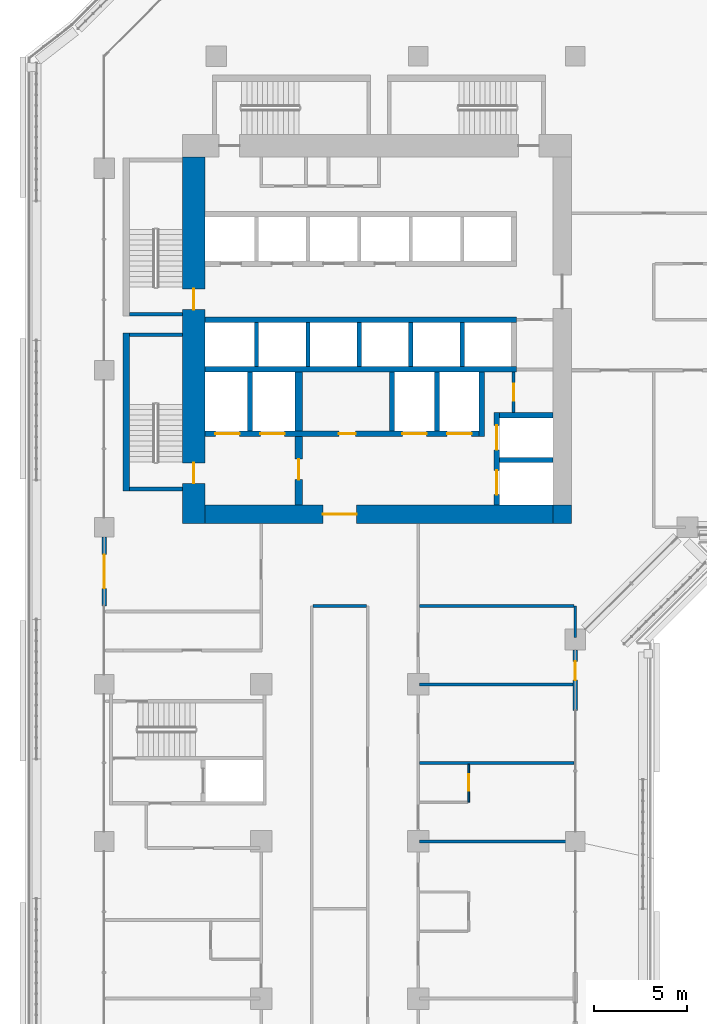
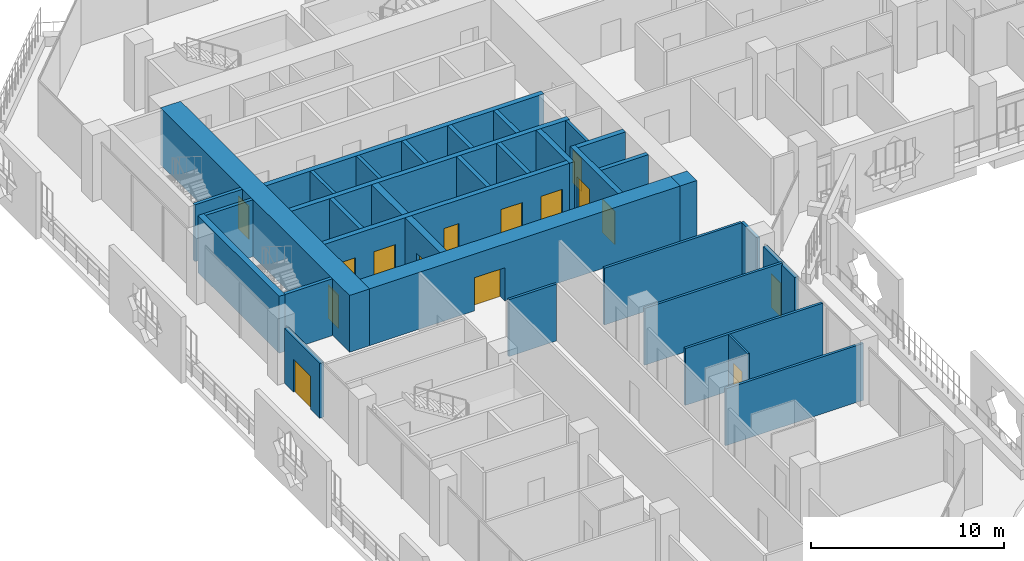
# One storey, part 13 of 26: 34 walls, 15 doors, 15 openings.
"""IFC4 building model written with IfcOpenShell, lengths in metres."""

from ifc_helpers import new_model, si_unit, direction, frame, frame_2d, origin, place, context, subcontext, project, spatial, rectangle, extrude, material, layer, layer_set, type_object, element, fill, save


model = new_model("IFC4")

# Units and contexts
model_context = context("Model", 3, precision=1e-05, world=origin(), true_north=direction((0.0, 1.0)))
body_context = subcontext(model_context, "Body", "Model", "MODEL_VIEW")
ifc_project = project(units=[si_unit("LENGTHUNIT", "METRE"), si_unit("AREAUNIT", "SQUARE_METRE"), si_unit("VOLUMEUNIT", "CUBIC_METRE"), si_unit("PLANEANGLEUNIT", "RADIAN"), si_unit("MASSUNIT", "GRAM", prefix="KILO")], contexts=[model_context])

# Site, building, storey
site_placement = place(None, origin())
site = spatial("IfcSite", under=ifc_project, at=site_placement, CompositionType="ELEMENT")
building_placement = place(site_placement, origin())
building = spatial("IfcBuilding", under=site, at=building_placement, Name="Kawkab Arch Medical Tower", CompositionType="ELEMENT")
storey_placement = place(building_placement, frame((0.0, 0.0, 119.800048828125)))
storey = spatial("IfcBuildingStorey", under=building, at=storey_placement, Name="L27", CompositionType="ELEMENT", Elevation=119.800048828125)

# Wall, opening, door
ifc_material_1 = material(Name="Concrete C60/75", Category="concrete")
ifc_layer_1 = layer(ifc_material_1, 1.0)
ifc_layer_set_1 = layer_set([ifc_layer_1], Name="Concrete C60/75")
wall_type_1 = type_object("IfcWallType", Name="Core ring wall 1000 C60/75", PredefinedType="SHEAR", material=ifc_layer_set_1)
wall_1_placement = place(storey_placement, frame((5.39990234375, -24.5, 0.0), z_axis=(0.0, 0.0, 1.0), x_axis=(1.0, 0.0, 0.0)))
wall_1 = element("IfcWall", 1, at=wall_1_placement, inside=storey, type_object=wall_type_1, Name="L27 core wall", PredefinedType="SHEAR", context=body_context, shape_type="SweptSolid", body=[
    extrude(rectangle(XDim=18.60009765625, YDim=1.0, at=frame_2d((9.300048828125, 0.0))), origin(), (0.0, 0.0, 1.0), 3.599853515625),
])
opening_1_placement = place(wall_1_placement, frame((6.300048828125, 0.0, 0.0)))
opening_1 = element("IfcOpeningElement", 2, at=opening_1_placement, cuts=wall_1, Name="Opening PD", PredefinedType="OPENING", context=body_context, shape_type="SweptSolid", body=[
    extrude(rectangle(XDim=1.800048828125, YDim=2.10009765625, at=frame_2d((0.89990234375, 1.050048828125))), frame((0.0, 0.510009765625, 0.0), z_axis=(0.0, -1.0, 0.0), x_axis=(1.0, 0.0, 0.0)), (0.0, 0.0, 1.0), 1.02001953125),
])
ifc_material_2 = material(Name="Hollow metal fire door leaf")
door_type_1 = type_object("IfcDoorType", Name="Core entrance doors 1800", OperationType="DOUBLE_DOOR_SINGLE_SWING", PredefinedType="DOOR", material=ifc_material_2)
door_1_placement = place(opening_1_placement, origin())
door_1 = element("IfcDoor", 3, at=door_1_placement, inside=storey, type_object=door_type_1, Name="L27 South entrance doors", OperationType="DOUBLE_DOOR_SINGLE_SWING", OverallHeight=2.10009765625, OverallWidth=1.800048828125, PredefinedType="DOOR", context=body_context, shape_type="SweptSolid", body=[
    extrude(rectangle(XDim=1.800048828125, YDim=2.10009765625, at=frame_2d((0.89990234375, 1.050048828125))), frame((0.0, 0.02490234375, 0.0), z_axis=(0.0, -1.0, 0.0), x_axis=(1.0, 0.0, 0.0)), (0.0, 0.0, 1.0), 0.050048828125),
])
fill(opening_1, door_1)

# Wall
wall_2_placement = place(storey_placement, frame((24.5, -25.0, 0.0), z_axis=(0.0, 0.0, 1.0), x_axis=(0.0, 1.0, 0.0)))
element("IfcWall", 4, at=wall_2_placement, inside=storey, type_object=wall_type_1, Name="L27 core wall", PredefinedType="SHEAR", context=body_context, shape_type="SweptSolid", body=[
    extrude(rectangle(XDim=1.0, YDim=1.0, at=frame_2d((0.5, 0.0))), origin(), (0.0, 0.0, 1.0), 3.599853515625),
])

# Wall, openings, doors
ifc_material_3 = material(Name="Concrete C60/75", Category="concrete")
ifc_layer_2 = layer(ifc_material_3, 1.199951171875)
ifc_layer_set_2 = layer_set([ifc_layer_2], Name="Concrete C60/75")
wall_type_2 = type_object("IfcWallType", Name="Core ring wall 1200 C60/75", PredefinedType="SHEAR", material=ifc_layer_set_2)
wall_3_placement = place(storey_placement, frame((4.800048828125, -25.0, 0.0), z_axis=(0.0, 0.0, 1.0), x_axis=(0.0, 1.0, 0.0)))
wall_3 = element("IfcWall", 5, at=wall_3_placement, inside=storey, type_object=wall_type_2, Name="L27 core wall", PredefinedType="SHEAR", context=body_context, shape_type="SweptSolid", body=[
    extrude(rectangle(XDim=19.60009765625, YDim=1.199951171875, at=frame_2d((9.800048828125, 0.0))), origin(), (0.0, 0.0, 1.0), 3.599853515625),
])
opening_2_placement = place(wall_3_placement, frame((11.449951171875, 0.0, 0.0)))
opening_2 = element("IfcOpeningElement", 6, at=opening_2_placement, cuts=wall_3, Name="Opening SD", PredefinedType="OPENING", context=body_context, shape_type="SweptSolid", body=[
    extrude(rectangle(XDim=1.10009765625, YDim=2.10009765625, at=frame_2d((0.550048828125, 1.050048828125))), frame((0.0, 0.60986328125, 0.0), z_axis=(0.0, -1.0, 0.0), x_axis=(1.0, 0.0, 0.0)), (0.0, 0.0, 1.0), 1.219970703125),
])
opening_3_placement = place(wall_3_placement, frame((2.14990234375, 0.0, 0.0)))
opening_3 = element("IfcOpeningElement", 7, at=opening_3_placement, cuts=wall_3, Name="Opening SD", PredefinedType="OPENING", context=body_context, shape_type="SweptSolid", body=[
    extrude(rectangle(XDim=1.10009765625, YDim=2.10009765625, at=frame_2d((0.550048828125, 1.050048828125))), frame((0.0, 0.60986328125, 0.0), z_axis=(0.0, -1.0, 0.0), x_axis=(1.0, 0.0, 0.0)), (0.0, 0.0, 1.0), 1.219970703125),
])
ifc_material_4 = material(Name="Hollow metal fire door leaf")
door_type_2 = type_object("IfcDoorType", Name="Exit stair door 1100", OperationType="SINGLE_SWING_LEFT", PredefinedType="DOOR", material=ifc_material_4)
door_2_placement = place(opening_2_placement, origin())
door_2 = element("IfcDoor", 8, at=door_2_placement, inside=storey, type_object=door_type_2, Name="L27 Exit stair ST1 door", OperationType="SINGLE_SWING_LEFT", OverallHeight=2.10009765625, OverallWidth=1.10009765625, PredefinedType="DOOR", context=body_context, shape_type="SweptSolid", body=[
    extrude(rectangle(XDim=1.10009765625, YDim=2.10009765625, at=frame_2d((0.550048828125, 1.050048828125))), frame((0.0, 0.02490234375, 0.0), z_axis=(0.0, -1.0, 0.0), x_axis=(1.0, 0.0, 0.0)), (0.0, 0.0, 1.0), 0.050048828125),
])
fill(opening_2, door_2)
door_3_placement = place(opening_3_placement, origin())
door_3 = element("IfcDoor", 9, at=door_3_placement, inside=storey, type_object=door_type_2, Name="L27 Exit stair ST2 door", OperationType="SINGLE_SWING_LEFT", OverallHeight=2.10009765625, OverallWidth=1.10009765625, PredefinedType="DOOR", context=body_context, shape_type="SweptSolid", body=[
    extrude(rectangle(XDim=1.10009765625, YDim=2.10009765625, at=frame_2d((0.550048828125, 1.050048828125))), frame((0.0, 0.02490234375, 0.0), z_axis=(0.0, -1.0, 0.0), x_axis=(1.0, 0.0, 0.0)), (0.0, 0.0, 1.0), 0.050048828125),
])
fill(opening_3, door_3)

# Wall, opening, door
ifc_material_5 = material(Name="Gypsum board on steel studs", Category="steel")
ifc_layer_3 = layer(ifc_material_5, 0.14990234375)
ifc_layer_set_3 = layer_set([ifc_layer_3], Name="Gypsum board on steel studs")
wall_type_3 = type_object("IfcWallType", Name="Core room partition 150", PredefinedType="PARTITIONING", material=ifc_layer_set_3)
wall_4_placement = place(storey_placement, frame((21.89990234375, -19.050048828125, 0.0), z_axis=(0.0, 0.0, 1.0), x_axis=(0.0, 1.0, 0.0)))
wall_4 = element("IfcWall", 10, at=wall_4_placement, inside=storey, type_object=wall_type_3, Name="L27 core room partition", PredefinedType="PARTITIONING", context=body_context, shape_type="SweptSolid", body=[
    extrude(rectangle(XDim=2.150146484375, YDim=0.14990234375, at=frame_2d((1.0751953125, 0.0))), origin(), (0.0, 0.0, 1.0), 3.599853515625),
])
opening_4_placement = place(wall_4_placement, frame((0.625, 0.0, 0.0)))
opening_4 = element("IfcOpeningElement", 11, at=opening_4_placement, cuts=wall_4, Name="Opening RD", PredefinedType="OPENING", context=body_context, shape_type="SweptSolid", body=[
    extrude(rectangle(XDim=0.89990234375, YDim=2.10009765625, at=frame_2d((0.449951171875, 1.050048828125))), frame((0.0, 0.0849609375, 0.0), z_axis=(0.0, -1.0, 0.0), x_axis=(1.0, 0.0, 0.0)), (0.0, 0.0, 1.0), 0.169921875),
])
ifc_material_6 = material(Name="Hollow metal fire door leaf")
door_type_3 = type_object("IfcDoorType", Name="Core room door 900", OperationType="SINGLE_SWING_LEFT", PredefinedType="DOOR", material=ifc_material_6)
door_4_placement = place(opening_4_placement, origin())
door_4 = element("IfcDoor", 12, at=door_4_placement, inside=storey, type_object=door_type_3, Name="L27 Accessible WC door", OperationType="SINGLE_SWING_LEFT", OverallHeight=2.10009765625, OverallWidth=0.89990234375, PredefinedType="DOOR", context=body_context, shape_type="SweptSolid", body=[
    extrude(rectangle(XDim=0.89990234375, YDim=2.10009765625, at=frame_2d((0.449951171875, 1.050048828125))), frame((0.0, 0.02490234375, 0.0), z_axis=(0.0, -1.0, 0.0), x_axis=(1.0, 0.0, 0.0)), (0.0, 0.0, 1.0), 0.050048828125),
])
fill(opening_4, door_4)

# Walls
ifc_material_7 = material(Name="Concrete C60/75", Category="concrete")
ifc_layer_4 = layer(ifc_material_7, 0.25)
ifc_layer_set_4 = layer_set([ifc_layer_4], Name="Concrete C60/75")
wall_type_4 = type_object("IfcWallType", Name="Core shear wall 250 C60/75", PredefinedType="SHEAR", material=ifc_layer_set_4)
wall_5_placement = place(storey_placement, frame((21.14990234375, -21.60009765625, 0.0), z_axis=(0.0, 0.0, 1.0), x_axis=(1.0, 0.0, 0.0)))
element("IfcWall", 13, at=wall_5_placement, inside=storey, type_object=wall_type_4, Name="L27 core shear wall", PredefinedType="SHEAR", context=body_context, shape_type="SweptSolid", body=[
    extrude(rectangle(XDim=2.85009765625, YDim=0.25, at=frame_2d((1.425048828125, 0.0))), origin(), (0.0, 0.0, 1.0), 3.599853515625),
])
for number, where, z_axis, x_axis, name in (
    (14, (7.800048828125, -20.050048828125, 0.0), (0.0, 0.0, 1.0), (0.0, 1.0, 0.0), "L27 core shear wall"),
    (15, (15.39990234375, -20.050048828125, 0.0), (0.0, 0.0, 1.0), (0.0, 1.0, 0.0), "L27 core shear wall"),
    (16, (17.800048828125, -20.050048828125, 0.0), (0.0, 0.0, 1.0), (0.0, 1.0, 0.0), "L27 core shear wall"),
):
    element("IfcWall", number, at=place(storey_placement, frame(where, z_axis=z_axis, x_axis=x_axis)), inside=storey, type_object=wall_type_4, Name=name, PredefinedType="SHEAR", context=body_context, shape_type="SweptSolid", body=[
        extrude(rectangle(XDim=3.150146484375, YDim=0.25, at=frame_2d((1.5751953125, 0.0))), origin(), (0.0, 0.0, 1.0), 3.599853515625),
    ])
for number, where, z_axis, x_axis, name in (
    (17, (13.64990234375, -16.60009765625, 0.0), (0.0, 0.0, 1.0), (0.0, 1.0, 0.0), "L27 core shear wall"),
    (18, (16.39990234375, -16.60009765625, 0.0), (0.0, 0.0, 1.0), (0.0, 1.0, 0.0), "L27 core shear wall"),
    (19, (19.14990234375, -16.60009765625, 0.0), (0.0, 0.0, 1.0), (0.0, 1.0, 0.0), "L27 core shear wall"),
):
    element("IfcWall", number, at=place(storey_placement, frame(where, z_axis=z_axis, x_axis=x_axis)), inside=storey, type_object=wall_type_4, Name=name, PredefinedType="SHEAR", context=body_context, shape_type="SweptSolid", body=[
        extrude(rectangle(XDim=2.35009765625, YDim=0.25, at=frame_2d((1.175048828125, 0.0))), origin(), (0.0, 0.0, 1.0), 3.599853515625),
    ])
ifc_material_8 = material(Name="Concrete C60/75", Category="concrete")
ifc_layer_5 = layer(ifc_material_8, 0.300048828125)
ifc_layer_set_5 = layer_set([ifc_layer_5], Name="Concrete C60/75")
wall_type_5 = type_object("IfcWallType", Name="Core shear wall 300 C60/75", PredefinedType="SHEAR", material=ifc_layer_set_5)
for number, where, z_axis, x_axis, name in (
    (20, (5.39990234375, -14.10009765625, 0.0), (0.0, 0.0, 1.0), (1.0, 0.0, 0.0), "L27 core shear wall"),
    (21, (5.39990234375, -16.75, 0.0), (0.0, 0.0, 1.0), (1.0, 0.0, 0.0), "L27 core shear wall"),
):
    element("IfcWall", number, at=place(storey_placement, frame(where, z_axis=z_axis, x_axis=x_axis)), inside=storey, type_object=wall_type_5, Name=name, PredefinedType="SHEAR", context=body_context, shape_type="SweptSolid", body=[
        extrude(rectangle(XDim=16.650146484375, YDim=0.300048828125, at=frame_2d((8.3251953125, 0.0))), origin(), (0.0, 0.0, 1.0), 3.599853515625),
    ])

# Wall, openings, doors
wall_6_placement = place(storey_placement, frame((5.39990234375, -20.199951171875, 0.0), z_axis=(0.0, 0.0, 1.0), x_axis=(1.0, 0.0, 0.0)))
wall_6 = element("IfcWall", 22, at=wall_6_placement, inside=storey, type_object=wall_type_5, Name="L27 core shear wall", PredefinedType="SHEAR", context=body_context, shape_type="SweptSolid", body=[
    extrude(rectangle(XDim=14.650146484375, YDim=0.300048828125, at=frame_2d((7.3251953125, 0.0))), origin(), (0.0, 0.0, 1.0), 3.599853515625),
])
opening_5_placement = place(wall_6_placement, frame((10.550048828125, 0.0, 0.0)))
opening_5 = element("IfcOpeningElement", 23, at=opening_5_placement, cuts=wall_6, Name="Opening LD2", PredefinedType="OPENING", context=body_context, shape_type="SweptSolid", body=[
    extrude(rectangle(XDim=1.300048828125, YDim=2.10009765625, at=frame_2d((0.64990234375, 1.050048828125))), frame((0.0, 0.159912109375, 0.0), z_axis=(0.0, -1.0, 0.0), x_axis=(1.0, 0.0, 0.0)), (0.0, 0.0, 1.0), 0.320068359375),
])
opening_6_placement = place(wall_6_placement, frame((12.949951171875, 0.0, 0.0)))
opening_6 = element("IfcOpeningElement", 24, at=opening_6_placement, cuts=wall_6, Name="Opening LD2", PredefinedType="OPENING", context=body_context, shape_type="SweptSolid", body=[
    extrude(rectangle(XDim=1.300048828125, YDim=2.10009765625, at=frame_2d((0.64990234375, 1.050048828125))), frame((0.0, 0.159912109375, 0.0), z_axis=(0.0, -1.0, 0.0), x_axis=(1.0, 0.0, 0.0)), (0.0, 0.0, 1.0), 0.320068359375),
])
opening_7_placement = place(wall_6_placement, frame((0.550048828125, 0.0, 0.0)))
opening_7 = element("IfcOpeningElement", 25, at=opening_7_placement, cuts=wall_6, Name="Opening LD2", PredefinedType="OPENING", context=body_context, shape_type="SweptSolid", body=[
    extrude(rectangle(XDim=1.300048828125, YDim=2.10009765625, at=frame_2d((0.64990234375, 1.050048828125))), frame((0.0, 0.159912109375, 0.0), z_axis=(0.0, -1.0, 0.0), x_axis=(1.0, 0.0, 0.0)), (0.0, 0.0, 1.0), 0.320068359375),
])
opening_8_placement = place(wall_6_placement, frame((2.949951171875, 0.0, 0.0)))
opening_8 = element("IfcOpeningElement", 26, at=opening_8_placement, cuts=wall_6, Name="Opening LD2", PredefinedType="OPENING", context=body_context, shape_type="SweptSolid", body=[
    extrude(rectangle(XDim=1.300048828125, YDim=2.10009765625, at=frame_2d((0.64990234375, 1.050048828125))), frame((0.0, 0.159912109375, 0.0), z_axis=(0.0, -1.0, 0.0), x_axis=(1.0, 0.0, 0.0)), (0.0, 0.0, 1.0), 0.320068359375),
])
opening_9_placement = place(wall_6_placement, frame((7.14990234375, 0.0, 0.0)))
opening_9 = element("IfcOpeningElement", 27, at=opening_9_placement, cuts=wall_6, Name="Opening RD", PredefinedType="OPENING", context=body_context, shape_type="SweptSolid", body=[
    extrude(rectangle(XDim=0.89990234375, YDim=2.10009765625, at=frame_2d((0.449951171875, 1.050048828125))), frame((0.0, 0.159912109375, 0.0), z_axis=(0.0, -1.0, 0.0), x_axis=(1.0, 0.0, 0.0)), (0.0, 0.0, 1.0), 0.320068359375),
])
door_5_placement = place(opening_9_placement, origin())
door_5 = element("IfcDoor", 28, at=door_5_placement, inside=storey, type_object=door_type_3, Name="L27 Linen store door", OperationType="SINGLE_SWING_LEFT", OverallHeight=2.10009765625, OverallWidth=0.89990234375, PredefinedType="DOOR", context=body_context, shape_type="SweptSolid", body=[
    extrude(rectangle(XDim=0.89990234375, YDim=2.10009765625, at=frame_2d((0.449951171875, 1.050048828125))), frame((0.0, 0.02490234375, 0.0), z_axis=(0.0, -1.0, 0.0), x_axis=(1.0, 0.0, 0.0)), (0.0, 0.0, 1.0), 0.050048828125),
])
fill(opening_9, door_5)
ifc_material_9 = material(Name="Stainless steel lift door leaf", Category="steel")
door_type_4 = type_object("IfcDoorType", Name="Lift landing door 1300", OperationType="DOUBLE_DOOR_SLIDING", PredefinedType="DOOR", material=ifc_material_9)
door_6_placement = place(opening_5_placement, origin())
door_6 = element("IfcDoor", 29, at=door_6_placement, inside=storey, type_object=door_type_4, Name="L27 Lift landing door BD3", OperationType="DOUBLE_DOOR_SLIDING", OverallHeight=2.10009765625, OverallWidth=1.300048828125, PredefinedType="DOOR", context=body_context, shape_type="SweptSolid", body=[
    extrude(rectangle(XDim=1.300048828125, YDim=2.10009765625, at=frame_2d((0.64990234375, 1.050048828125))), frame((0.0, 0.02490234375, 0.0), z_axis=(0.0, -1.0, 0.0), x_axis=(1.0, 0.0, 0.0)), (0.0, 0.0, 1.0), 0.050048828125),
])
fill(opening_5, door_6)
door_7_placement = place(opening_6_placement, origin())
door_7 = element("IfcDoor", 30, at=door_7_placement, inside=storey, type_object=door_type_4, Name="L27 Lift landing door BD4", OperationType="DOUBLE_DOOR_SLIDING", OverallHeight=2.10009765625, OverallWidth=1.300048828125, PredefinedType="DOOR", context=body_context, shape_type="SweptSolid", body=[
    extrude(rectangle(XDim=1.300048828125, YDim=2.10009765625, at=frame_2d((0.64990234375, 1.050048828125))), frame((0.0, 0.02490234375, 0.0), z_axis=(0.0, -1.0, 0.0), x_axis=(1.0, 0.0, 0.0)), (0.0, 0.0, 1.0), 0.050048828125),
])
fill(opening_6, door_7)
door_8_placement = place(opening_7_placement, origin())
door_8 = element("IfcDoor", 31, at=door_8_placement, inside=storey, type_object=door_type_4, Name="L27 Lift landing door FL1", OperationType="DOUBLE_DOOR_SLIDING", OverallHeight=2.10009765625, OverallWidth=1.300048828125, PredefinedType="DOOR", context=body_context, shape_type="SweptSolid", body=[
    extrude(rectangle(XDim=1.300048828125, YDim=2.10009765625, at=frame_2d((0.64990234375, 1.050048828125))), frame((0.0, 0.02490234375, 0.0), z_axis=(0.0, -1.0, 0.0), x_axis=(1.0, 0.0, 0.0)), (0.0, 0.0, 1.0), 0.050048828125),
])
fill(opening_7, door_8)
door_9_placement = place(opening_8_placement, origin())
door_9 = element("IfcDoor", 32, at=door_9_placement, inside=storey, type_object=door_type_4, Name="L27 Lift landing door FL2", OperationType="DOUBLE_DOOR_SLIDING", OverallHeight=2.10009765625, OverallWidth=1.300048828125, PredefinedType="DOOR", context=body_context, shape_type="SweptSolid", body=[
    extrude(rectangle(XDim=1.300048828125, YDim=2.10009765625, at=frame_2d((0.64990234375, 1.050048828125))), frame((0.0, 0.02490234375, 0.0), z_axis=(0.0, -1.0, 0.0), x_axis=(1.0, 0.0, 0.0)), (0.0, 0.0, 1.0), 0.050048828125),
])
fill(opening_8, door_9)

# Walls
wall_7_placement = place(storey_placement, frame((20.199951171875, -20.35009765625, 0.0), z_axis=(0.0, 0.0, 1.0), x_axis=(0.0, 1.0, 0.0)))
element("IfcWall", 33, at=wall_7_placement, inside=storey, type_object=wall_type_5, Name="L27 core shear wall", PredefinedType="SHEAR", context=body_context, shape_type="SweptSolid", body=[
    extrude(rectangle(XDim=3.4501953125, YDim=0.300048828125, at=frame_2d((1.72509765625, 0.0))), origin(), (0.0, 0.0, 1.0), 3.599853515625),
])
wall_8_placement = place(storey_placement, frame((21.14990234375, -19.199951171875, 0.0), z_axis=(0.0, 0.0, 1.0), x_axis=(1.0, 0.0, 0.0)))
element("IfcWall", 34, at=wall_8_placement, inside=storey, type_object=wall_type_5, Name="L27 core shear wall", PredefinedType="SHEAR", context=body_context, shape_type="SweptSolid", body=[
    extrude(rectangle(XDim=2.85009765625, YDim=0.300048828125, at=frame_2d((1.425048828125, 0.0))), origin(), (0.0, 0.0, 1.0), 3.599853515625),
])

# Wall, openings, doors
wall_9_placement = place(storey_placement, frame((21.0, -24.0, 0.0), z_axis=(0.0, 0.0, 1.0), x_axis=(0.0, 1.0, 0.0)))
wall_9 = element("IfcWall", 35, at=wall_9_placement, inside=storey, type_object=wall_type_5, Name="L27 core shear wall", PredefinedType="SHEAR", context=body_context, shape_type="SweptSolid", body=[
    extrude(rectangle(XDim=4.949951171875, YDim=0.300048828125, at=frame_2d((2.47509765625, 0.0))), origin(), (0.0, 0.0, 1.0), 3.599853515625),
])
opening_10_placement = place(wall_9_placement, frame((2.949951171875, 0.0, 0.0)))
opening_10 = element("IfcOpeningElement", 36, at=opening_10_placement, cuts=wall_9, Name="Opening LD2", PredefinedType="OPENING", context=body_context, shape_type="SweptSolid", body=[
    extrude(rectangle(XDim=1.300048828125, YDim=2.10009765625, at=frame_2d((0.64990234375, 1.050048828125))), frame((0.0, 0.159912109375, 0.0), z_axis=(0.0, -1.0, 0.0), x_axis=(1.0, 0.0, 0.0)), (0.0, 0.0, 1.0), 0.320068359375),
])
opening_11_placement = place(wall_9_placement, frame((0.550048828125, 0.0, 0.0)))
opening_11 = element("IfcOpeningElement", 37, at=opening_11_placement, cuts=wall_9, Name="Opening LD2", PredefinedType="OPENING", context=body_context, shape_type="SweptSolid", body=[
    extrude(rectangle(XDim=1.300048828125, YDim=2.10009765625, at=frame_2d((0.64990234375, 1.050048828125))), frame((0.0, 0.159912109375, 0.0), z_axis=(0.0, -1.0, 0.0), x_axis=(1.0, 0.0, 0.0)), (0.0, 0.0, 1.0), 0.320068359375),
])
door_10_placement = place(opening_10_placement, origin())
door_10 = element("IfcDoor", 38, at=door_10_placement, inside=storey, type_object=door_type_4, Name="L27 Lift landing door BD1", OperationType="DOUBLE_DOOR_SLIDING", OverallHeight=2.10009765625, OverallWidth=1.300048828125, PredefinedType="DOOR", context=body_context, shape_type="SweptSolid", body=[
    extrude(rectangle(XDim=1.300048828125, YDim=2.10009765625, at=frame_2d((0.64990234375, 1.050048828125))), frame((0.0, 0.02490234375, 0.0), z_axis=(0.0, -1.0, 0.0), x_axis=(1.0, 0.0, 0.0)), (0.0, 0.0, 1.0), 0.050048828125),
])
fill(opening_10, door_10)
door_11_placement = place(opening_11_placement, origin())
door_11 = element("IfcDoor", 39, at=door_11_placement, inside=storey, type_object=door_type_4, Name="L27 Lift landing door BD2", OperationType="DOUBLE_DOOR_SLIDING", OverallHeight=2.10009765625, OverallWidth=1.300048828125, PredefinedType="DOOR", context=body_context, shape_type="SweptSolid", body=[
    extrude(rectangle(XDim=1.300048828125, YDim=2.10009765625, at=frame_2d((0.64990234375, 1.050048828125))), frame((0.0, 0.02490234375, 0.0), z_axis=(0.0, -1.0, 0.0), x_axis=(1.0, 0.0, 0.0)), (0.0, 0.0, 1.0), 0.050048828125),
])
fill(opening_11, door_11)

# Wall, opening, door
ifc_material_10 = material(Name="Concrete C60/75", Category="concrete")
ifc_layer_6 = layer(ifc_material_10, 0.39990234375)
ifc_layer_set_6 = layer_set([ifc_layer_6], Name="Concrete C60/75")
wall_type_6 = type_object("IfcWallType", Name="Core shear wall 400 C60/75", PredefinedType="SHEAR", material=ifc_layer_set_6)
wall_10_placement = place(storey_placement, frame((10.39990234375, -24.0, 0.0), z_axis=(0.0, 0.0, 1.0), x_axis=(0.0, 1.0, 0.0)))
wall_10 = element("IfcWall", 40, at=wall_10_placement, inside=storey, type_object=wall_type_6, Name="L27 core shear wall", PredefinedType="SHEAR", context=body_context, shape_type="SweptSolid", body=[
    extrude(rectangle(XDim=3.64990234375, YDim=0.39990234375, at=frame_2d((1.824951171875, 0.0))), origin(), (0.0, 0.0, 1.0), 3.599853515625),
])
opening_12_placement = place(wall_10_placement, frame((1.35009765625, 0.0, 0.0)))
opening_12 = element("IfcOpeningElement", 41, at=opening_12_placement, cuts=wall_10, Name="Opening FD", PredefinedType="OPENING", context=body_context, shape_type="SweptSolid", body=[
    extrude(rectangle(XDim=1.10009765625, YDim=2.10009765625, at=frame_2d((0.550048828125, 1.050048828125))), frame((0.0, 0.2099609375, 0.0), z_axis=(0.0, -1.0, 0.0), x_axis=(1.0, 0.0, 0.0)), (0.0, 0.0, 1.0), 0.419921875),
])
ifc_material_11 = material(Name="Hollow metal fire door leaf")
door_type_5 = type_object("IfcDoorType", Name="Firefighting lobby door 1100", OperationType="SINGLE_SWING_LEFT", PredefinedType="DOOR", material=ifc_material_11)
door_12_placement = place(opening_12_placement, origin())
door_12 = element("IfcDoor", 42, at=door_12_placement, inside=storey, type_object=door_type_5, Name="L27 Firefighting lobby door", OperationType="SINGLE_SWING_LEFT", OverallHeight=2.10009765625, OverallWidth=1.10009765625, PredefinedType="DOOR", context=body_context, shape_type="SweptSolid", body=[
    extrude(rectangle(XDim=1.10009765625, YDim=2.10009765625, at=frame_2d((0.550048828125, 1.050048828125))), frame((0.0, 0.02490234375, 0.0), z_axis=(0.0, -1.0, 0.0), x_axis=(1.0, 0.0, 0.0)), (0.0, 0.0, 1.0), 0.050048828125),
])
fill(opening_12, door_12)

# Wall
wall_11_placement = place(storey_placement, frame((10.39990234375, -20.050048828125, 0.0), z_axis=(0.0, 0.0, 1.0), x_axis=(0.0, 1.0, 0.0)))
element("IfcWall", 43, at=wall_11_placement, inside=storey, type_object=wall_type_6, Name="L27 core shear wall", PredefinedType="SHEAR", context=body_context, shape_type="SweptSolid", body=[
    extrude(rectangle(XDim=3.150146484375, YDim=0.39990234375, at=frame_2d((1.5751953125, 0.0))), origin(), (0.0, 0.0, 1.0), 3.599853515625),
])

# Wall, opening, door
ifc_material_12 = material(Name="Bronze clad insulated wall panel")
ifc_layer_7 = layer(ifc_material_12, 0.25)
ifc_layer_set_7 = layer_set([ifc_layer_7], Name="Bronze clad insulated wall panel")
wall_type_7 = type_object("IfcWallType", Name="External wall bay 250", PredefinedType="SOLIDWALL", material=ifc_layer_set_7)
wall_12_placement = place(storey_placement, frame((0.0, -25.72509765625, 0.0), z_axis=(0.0, 0.0, 1.0), x_axis=(0.0, -1.0, 0.0)))
wall_12 = element("IfcWall", 44, at=wall_12_placement, inside=storey, type_object=wall_type_7, Name="External wall bay L27.R01.4.1", PredefinedType="SOLIDWALL", context=body_context, shape_type="SweptSolid", body=[
    extrude(rectangle(XDim=3.6748046875, YDim=0.25, at=frame_2d((1.83740234375, 0.0))), origin(), (0.0, 0.0, 1.0), 3.47998046875),
])
opening_13_placement = place(wall_12_placement, frame((0.9375, 0.0, 0.0)))
opening_13 = element("IfcOpeningElement", 45, at=opening_13_placement, cuts=wall_12, Name="Opening W27-701", PredefinedType="OPENING", context=body_context, shape_type="SweptSolid", body=[
    extrude(rectangle(XDim=1.800048828125, YDim=2.10009765625, at=frame_2d((0.89990234375, 1.050048828125))), frame((0.0, 0.135009765625, 0.0), z_axis=(0.0, -1.0, 0.0), x_axis=(1.0, 0.0, 0.0)), (0.0, 0.0, 1.0), 0.27001953125),
])
ifc_material_13 = material(Name="Bronze anodised aluminium door with tinted glass", Category="aluminium")
door_type_6 = type_object("IfcDoorType", Name="Double external door 1800 x 2100", OperationType="DOUBLE_DOOR_SINGLE_SWING", PredefinedType="DOOR", material=ifc_material_13)
door_13_placement = place(opening_13_placement, origin())
door_13 = element("IfcDoor", 46, at=door_13_placement, inside=storey, type_object=door_type_6, Name="External door L27.R01.4.1", OperationType="DOUBLE_DOOR_SINGLE_SWING", OverallHeight=2.10009765625, OverallWidth=1.800048828125, PredefinedType="DOOR", context=body_context, shape_type="SweptSolid", body=[
    extrude(rectangle(XDim=1.800048828125, YDim=2.10009765625, at=frame_2d((0.89990234375, 1.050048828125))), frame((0.0, 0.02490234375, 0.0), z_axis=(0.0, -1.0, 0.0), x_axis=(1.0, 0.0, 0.0)), (0.0, 0.0, 1.0), 0.050048828125),
])
fill(opening_13, door_13)

wall_13_placement = place(storey_placement, frame((25.199951171875, -34.99169921875, 0.0), z_axis=(0.0, 0.0, 1.0), x_axis=(0.0, 1.0, 0.0)))
wall_13 = element("IfcWall", 47, at=wall_13_placement, inside=storey, type_object=wall_type_7, Name="External wall bay L27.R05.2.3", PredefinedType="SOLIDWALL", context=body_context, shape_type="SweptSolid", body=[
    extrude(rectangle(XDim=3.24169921875, YDim=0.25, at=frame_2d((1.620849609375, 0.0))), origin(), (0.0, 0.0, 1.0), 3.47998046875),
])
opening_14_placement = place(wall_13_placement, frame((1.620849609375, 0.0, 0.0)))
opening_14 = element("IfcOpeningElement", 48, at=opening_14_placement, cuts=wall_13, Name="Opening W27-702", PredefinedType="OPENING", context=body_context, shape_type="SweptSolid", body=[
    extrude(rectangle(XDim=1.0, YDim=2.10009765625, at=frame_2d((0.5, 1.050048828125))), frame((0.0, 0.135009765625, 0.0), z_axis=(0.0, -1.0, 0.0), x_axis=(1.0, 0.0, 0.0)), (0.0, 0.0, 1.0), 0.27001953125),
])
ifc_material_14 = material(Name="Bronze anodised aluminium door with tinted glass", Category="aluminium")
door_type_7 = type_object("IfcDoorType", Name="Single external door 1000 x 2100", OperationType="SINGLE_SWING_LEFT", PredefinedType="DOOR", material=ifc_material_14)
door_14_placement = place(opening_14_placement, origin())
door_14 = element("IfcDoor", 49, at=door_14_placement, inside=storey, type_object=door_type_7, Name="External door L27.R05.2.3", OperationType="SINGLE_SWING_LEFT", OverallHeight=2.10009765625, OverallWidth=1.0, PredefinedType="DOOR", context=body_context, shape_type="SweptSolid", body=[
    extrude(rectangle(XDim=1.0, YDim=2.10009765625, at=frame_2d((0.5, 1.050048828125))), frame((0.0, 0.02490234375, 0.0), z_axis=(0.0, -1.0, 0.0), x_axis=(1.0, 0.0, 0.0)), (0.0, 0.0, 1.0), 0.050048828125),
])
fill(opening_14, door_14)

# Walls
ifc_material_15 = material(Name="Dense concrete blockwork", Category="masonry")
ifc_layer_8 = layer(ifc_material_15, 0.199951171875)
ifc_layer_set_8 = layer_set([ifc_layer_8], Name="Dense concrete blockwork")
wall_type_8 = type_object("IfcWallType", Name="Lift shaft partition 200", PredefinedType="PARTITIONING", material=ifc_layer_set_8)
for number, where, z_axis, x_axis, name in (
    (50, (8.14990234375, -16.60009765625, 0.0), (0.0, 0.0, 1.0), (0.0, 1.0, 0.0), "L27 lift shaft partition"),
    (51, (10.89990234375, -16.60009765625, 0.0), (0.0, 0.0, 1.0), (0.0, 1.0, 0.0), "L27 lift shaft partition"),
):
    element("IfcWall", number, at=place(storey_placement, frame(where, z_axis=z_axis, x_axis=x_axis)), inside=storey, type_object=wall_type_8, Name=name, PredefinedType="PARTITIONING", context=body_context, shape_type="SweptSolid", body=[
        extrude(rectangle(XDim=2.35009765625, YDim=0.199951171875, at=frame_2d((1.175048828125, 0.0))), origin(), (0.0, 0.0, 1.0), 3.599853515625),
    ])

# Wall, opening, door
ifc_material_16 = material(Name="Gypsum board partition on steel studs", Category="steel")
ifc_layer_9 = layer(ifc_material_16, 0.10009765625)
ifc_layer_set_9 = layer_set([ifc_layer_9], Name="Gypsum board partition on steel studs")
wall_type_9 = type_object("IfcWallType", Name="Partition 100", PredefinedType="PARTITIONING", material=ifc_layer_set_9)
wall_14_placement = place(storey_placement, frame((19.5, -39.89990234375, 0.0), z_axis=(0.0, 0.0, 1.0), x_axis=(0.0, 1.0, 0.0)))
wall_14 = element("IfcWall", 52, at=wall_14_placement, inside=storey, type_object=wall_type_9, Name="Partition 100 w016", PredefinedType="PARTITIONING", context=body_context, shape_type="SweptSolid", body=[
    extrude(rectangle(XDim=2.02490234375, YDim=0.10009765625, at=frame_2d((1.012451171875, 0.0))), origin(), (0.0, 0.0, 1.0), 3.599853515625),
])
opening_15_placement = place(wall_14_placement, frame((0.60009765625, 0.0, 0.0)))
opening_15 = element("IfcOpeningElement", 53, at=opening_15_placement, cuts=wall_14, Name="Opening W27-015", PredefinedType="OPENING", context=body_context, shape_type="SweptSolid", body=[
    extrude(rectangle(XDim=0.89990234375, YDim=2.10009765625, at=frame_2d((0.449951171875, 1.050048828125))), frame((0.0, 0.06005859375, 0.0), z_axis=(0.0, -1.0, 0.0), x_axis=(1.0, 0.0, 0.0)), (0.0, 0.0, 1.0), 0.1201171875),
])
ifc_material_17 = material(Name="Timber door leaf", Category="wood")
door_type_8 = type_object("IfcDoorType", Name="Single door 900x2100", OperationType="NOTDEFINED", PredefinedType="DOOR", material=ifc_material_17)
door_15_placement = place(opening_15_placement, origin())
door_15 = element("IfcDoor", 54, at=door_15_placement, inside=storey, type_object=door_type_8, Name="Door W27-015", OperationType="SINGLE_SWING_LEFT", OverallHeight=2.10009765625, OverallWidth=0.89990234375, PredefinedType="DOOR", context=body_context, shape_type="SweptSolid", body=[
    extrude(rectangle(XDim=0.89990234375, YDim=2.10009765625, at=frame_2d((0.449951171875, 1.050048828125))), frame((0.0, 0.02490234375, 0.0), z_axis=(0.0, -1.0, 0.0), x_axis=(1.0, 0.0, 0.0)), (0.0, 0.0, 1.0), 0.050048828125),
])
fill(opening_15, door_15)

# Walls
ifc_material_18 = material(Name="Gypsum board partition on steel studs, mineral wool", Category="steel")
ifc_layer_10 = layer(ifc_material_18, 0.14990234375)
ifc_layer_set_10 = layer_set([ifc_layer_10], Name="Gypsum board partition on steel studs, mineral wool")
wall_type_10 = type_object("IfcWallType", Name="Partition 150", PredefinedType="PARTITIONING", material=ifc_layer_set_10)
for number, where, z_axis, x_axis, name in (
    (55, (16.875, -42.0, 0.0), (0.0, 0.0, 1.0), (1.0, 0.0, 0.0), "Partition 150 w036"),
    (56, (16.875, -37.800048828125, 0.0), (0.0, 0.0, 1.0), (1.0, 0.0, 0.0), "Partition 150 w037"),
    (57, (16.875, -33.60009765625, 0.0), (0.0, 0.0, 1.0), (1.0, 0.0, 0.0), "Partition 150 w039"),
):
    element("IfcWall", number, at=place(storey_placement, frame(where, z_axis=z_axis, x_axis=x_axis)), inside=storey, type_object=wall_type_10, Name=name, PredefinedType="PARTITIONING", context=body_context, shape_type="SweptSolid", body=[
        extrude(rectangle(XDim=8.2451171875, YDim=0.14990234375, at=frame_2d((4.12255859375, 0.0))), origin(), (0.0, 0.0, 1.0), 3.599853515625),
    ])
wall_15_placement = place(storey_placement, frame((11.175048828125, -29.39990234375, 0.0), z_axis=(0.0, 0.0, 1.0), x_axis=(1.0, 0.0, 0.0)))
element("IfcWall", 58, at=wall_15_placement, inside=storey, type_object=wall_type_10, Name="Partition 150 w043", PredefinedType="PARTITIONING", context=body_context, shape_type="SweptSolid", body=[
    extrude(rectangle(XDim=2.849853515625, YDim=0.14990234375, at=frame_2d((1.4248046875, 0.0))), origin(), (0.0, 0.0, 1.0), 3.599853515625),
])
wall_16_placement = place(storey_placement, frame((16.875, -29.39990234375, 0.0), z_axis=(0.0, 0.0, 1.0), x_axis=(1.0, 0.0, 0.0)))
element("IfcWall", 59, at=wall_16_placement, inside=storey, type_object=wall_type_10, Name="Partition 150 w044", PredefinedType="PARTITIONING", context=body_context, shape_type="SweptSolid", body=[
    extrude(rectangle(XDim=8.25, YDim=0.14990234375, at=frame_2d((4.125, 0.0))), origin(), (0.0, 0.0, 1.0), 3.599853515625),
])
wall_17_placement = place(storey_placement, frame((25.199951171875, -31.0869140625, 0.0), z_axis=(0.0, 0.0, 1.0), x_axis=(0.0, 1.0, 0.0)))
element("IfcWall", 60, at=wall_17_placement, inside=storey, type_object=wall_type_10, Name="Partition 150 w064", PredefinedType="PARTITIONING", context=body_context, shape_type="SweptSolid", body=[
    extrude(rectangle(XDim=1.68701171875, YDim=0.14990234375, at=frame_2d((0.843505859375, 0.0))), origin(), (0.0, 0.0, 1.0), 3.599853515625),
])
ifc_material_19 = material(Name="Concrete C50/60", Category="concrete")
ifc_layer_11 = layer(ifc_material_19, 0.199951171875)
ifc_layer_set_11 = layer_set([ifc_layer_11], Name="Concrete C50/60")
wall_type_11 = type_object("IfcWallType", Name="Stair enclosure wall 200 C50/60", PredefinedType="SHEAR", material=ifc_layer_set_11)
for number, where, z_axis, x_axis, name in (
    (61, (1.35009765625, -13.800048828125, 0.0), (0.0, 0.0, 1.0), (1.0, 0.0, 0.0), "L27 stair enclosure wall"),
    (62, (1.35009765625, -14.89990234375, 0.0), (0.0, 0.0, 1.0), (1.0, 0.0, 0.0), "L27 stair enclosure wall"),
    (63, (1.35009765625, -23.14990234375, 0.0), (0.0, 0.0, 1.0), (1.0, 0.0, 0.0), "L27 stair enclosure wall"),
):
    element("IfcWall", number, at=place(storey_placement, frame(where, z_axis=z_axis, x_axis=x_axis)), inside=storey, type_object=wall_type_11, Name=name, PredefinedType="SHEAR", context=body_context, shape_type="SweptSolid", body=[
        extrude(rectangle(XDim=2.849853515625, YDim=0.199951171875, at=frame_2d((1.4248046875, 0.0))), origin(), (0.0, 0.0, 1.0), 3.599853515625),
    ])
ifc_material_20 = material(Name="Concrete C50/60", Category="concrete")
ifc_layer_12 = layer(ifc_material_20, 0.35009765625)
ifc_layer_set_12 = layer_set([ifc_layer_12], Name="Concrete C50/60")
wall_type_12 = type_object("IfcWallType", Name="Stair enclosure wall 350 C50/60", PredefinedType="SHEAR", material=ifc_layer_set_12)
wall_18_placement = place(storey_placement, frame((1.175048828125, -23.25, 0.0), z_axis=(0.0, 0.0, 1.0), x_axis=(0.0, 1.0, 0.0)))
element("IfcWall", 64, at=wall_18_placement, inside=storey, type_object=wall_type_12, Name="L27 stair enclosure wall", PredefinedType="SHEAR", context=body_context, shape_type="SweptSolid", body=[
    extrude(rectangle(XDim=8.449951171875, YDim=0.35009765625, at=frame_2d((4.22509765625, 0.0))), origin(), (0.0, 0.0, 1.0), 3.599853515625),
])

save(model, "model.ifc")
